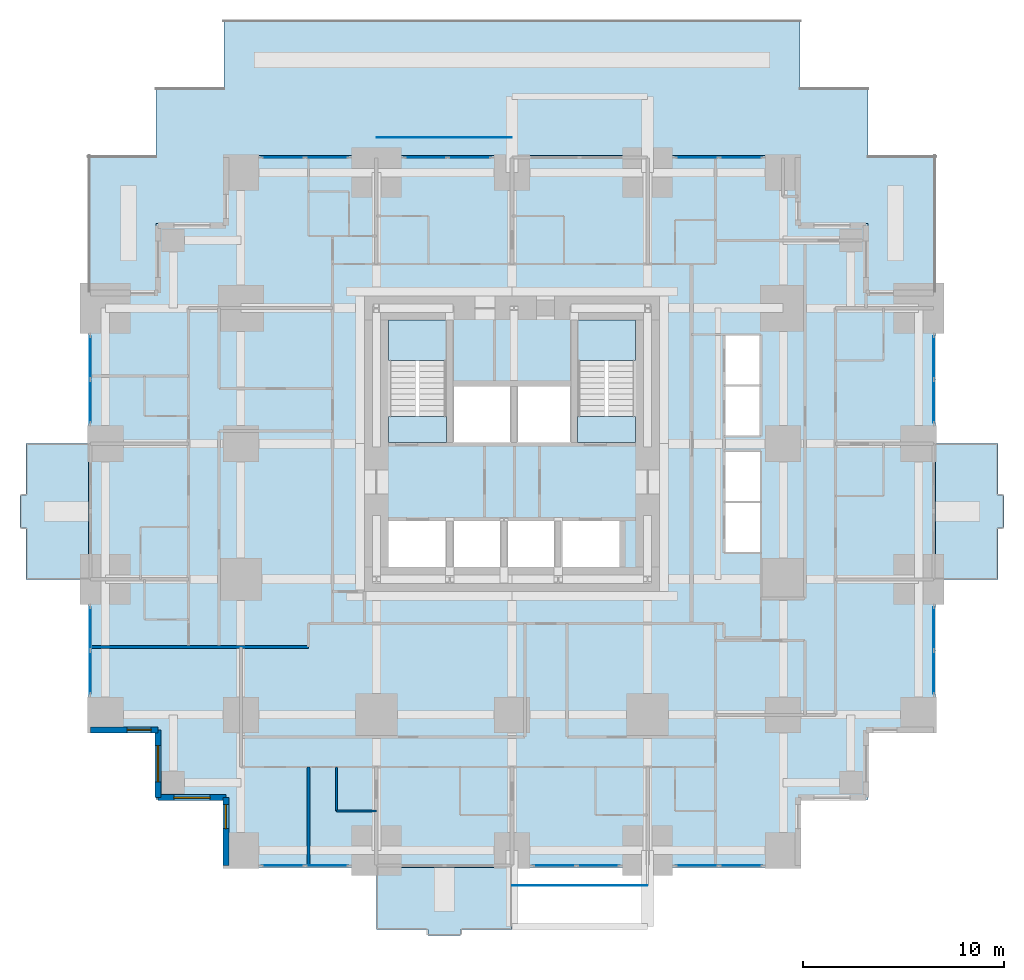
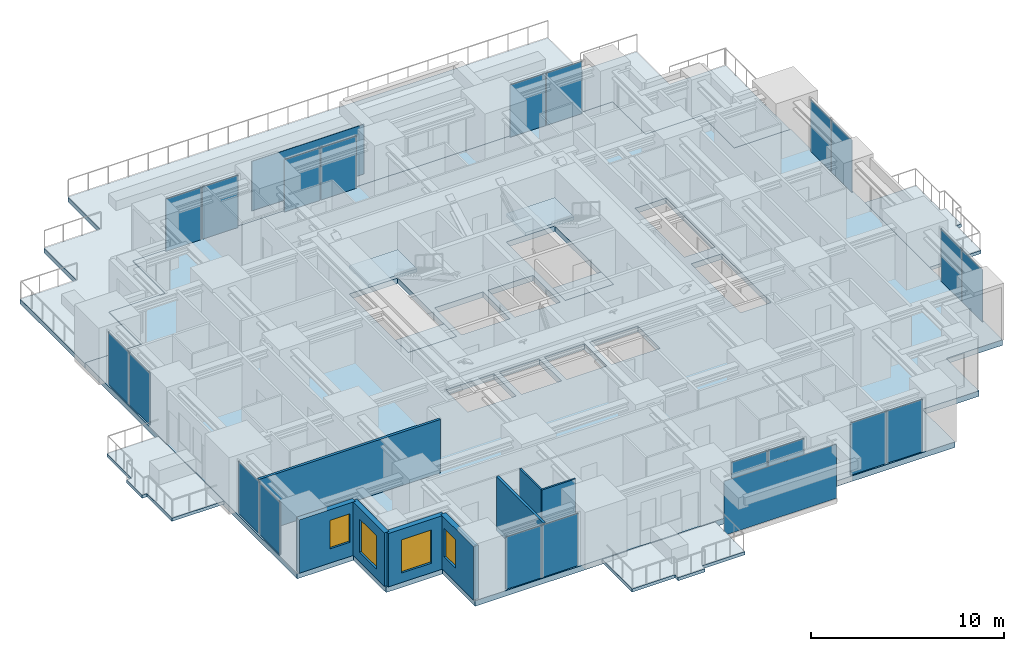
# One storey, part 5 of 12: 22 plates, 9 slabs, 8 walls, 4 windows, 4 openings, 12 elements without a shape of their own.
"""IFC4 building model written with IfcOpenShell, lengths in metres."""

from ifc_helpers import new_model, si_unit, direction, frame, frame_2d, origin, origin_2d, place, context, subcontext, project, spatial, polyline, rectangle, outline, extrude, material, layer, layer_set, type_object, element, fill, aggregate, save


model = new_model("IFC4")

# Units and contexts
model_context = context("Model", 3, precision=1e-05, world=origin(), true_north=direction((0.0, 1.0)))
body_context = subcontext(model_context, "Body", "Model", "MODEL_VIEW")
ifc_project = project(units=[si_unit("LENGTHUNIT", "METRE"), si_unit("AREAUNIT", "SQUARE_METRE"), si_unit("VOLUMEUNIT", "CUBIC_METRE"), si_unit("PLANEANGLEUNIT", "RADIAN"), si_unit("MASSUNIT", "GRAM", prefix="KILO")], contexts=[model_context])

# Site, building, storey
site_placement = place(None, origin())
site = spatial("IfcSite", under=ifc_project, at=site_placement, CompositionType="ELEMENT")
building_placement = place(site_placement, origin())
building = spatial("IfcBuilding", under=site, at=building_placement, Name="Nyansa Garden Tower", CompositionType="ELEMENT")
storey_placement = place(building_placement, frame((0.0, 0.0, 80.10009765625)))
storey = spatial("IfcBuildingStorey", under=building, at=storey_placement, Name="L21", CompositionType="ELEMENT", Elevation=80.10009765625)

# Slabs
ifc_material_1 = material(Name="Concrete C40/50", Category="concrete")
ifc_layer_1 = layer(ifc_material_1, 0.199951171875)
ifc_layer_set_1 = layer_set([ifc_layer_1], Name="Balcony slab BS200")
slab_type_1 = type_object("IfcSlabType", Name="Balcony slab BS200", PredefinedType="FLOOR", material=ifc_layer_set_1)
slab_1_placement = place(storey_placement, frame((0.0, 0.0, -0.239990234375)))
element("IfcSlab", 1, at=slab_1_placement, inside=storey, type_object=slab_type_1, Name="Balcony L21 S", PredefinedType="FLOOR", context=body_context, shape_type="SweptSolid", body=[
    extrude(outline(polyline([(13.5, -0.85009765625), (20.25, -0.85009765625), (20.25, -3.949951171875), (17.675048828125, -3.949951171875), (17.675048828125, -4.25), (16.074951171875, -4.25), (16.074951171875, -3.949951171875), (13.5, -3.949951171875), (13.5, -0.85009765625)])), origin(), (0.0, 0.0, 1.0), 0.199951171875),
])
slab_2_placement = place(storey_placement, frame((0.0, 0.0, -0.239990234375)))
element("IfcSlab", 2, at=slab_2_placement, inside=storey, type_object=slab_type_1, Name="Balcony L21 E", PredefinedType="FLOOR", context=body_context, shape_type="SweptSolid", body=[
    extrude(outline(polyline([(41.35009765625, 13.5), (41.35009765625, 20.25), (44.449951171875, 20.25), (44.449951171875, 17.675048828125), (44.75, 17.675048828125), (44.75, 16.074951171875), (44.449951171875, 16.074951171875), (44.449951171875, 13.5), (41.35009765625, 13.5)])), origin(), (0.0, 0.0, 1.0), 0.199951171875),
])
slab_3_placement = place(storey_placement, frame((0.0, 0.0, -0.239990234375)))
element("IfcSlab", 3, at=slab_3_placement, inside=storey, type_object=slab_type_1, Name="Balcony L21 W", PredefinedType="FLOOR", context=body_context, shape_type="SweptSolid", body=[
    extrude(outline(polyline([(-0.85009765625, 13.5), (-0.85009765625, 20.25), (-3.949951171875, 20.25), (-3.949951171875, 17.675048828125), (-4.25, 17.675048828125), (-4.25, 16.074951171875), (-3.949951171875, 16.074951171875), (-3.949951171875, 13.5), (-0.85009765625, 13.5)])), origin(), (0.0, 0.0, 1.0), 0.199951171875),
])

# Curtain wall, plates
ifc_material_2 = material(Name="Black anodised aluminium, dark tinted double glazing", Category="aluminium")
curtain_wall_type = type_object("IfcCurtainWallType", Name="Inner skin curtain wall ISW-B", PredefinedType="USERDEFINED", material=ifc_material_2)
curtain_wall_1_placement = place(storey_placement, origin())
curtain_wall_1 = element("IfcCurtainWall", 4, at=curtain_wall_1_placement, inside=storey, type_object=curtain_wall_type, Name="Inner skin curtain wall L21 E", ObjectType="UNITISED CURTAIN WALL", PredefinedType="USERDEFINED")
ifc_material_3 = material(Name="Dark tinted laminated double glazing", Category="glass")
ifc_layer_2 = layer(ifc_material_3, 0.035888671875)
ifc_layer_set_2 = layer_set([ifc_layer_2], Name="Dark tinted vision panel VP-B")
plate_type_1 = type_object("IfcPlateType", Name="Dark tinted vision panel VP-B", PredefinedType="CURTAIN_PANEL", material=ifc_layer_set_2)
plate_1_placement = place(storey_placement, frame((41.25, 8.856201171875, -0.000244140625), z_axis=(0.0, 0.0, 1.0), x_axis=(0.0, 1.0, 0.0)))
plate_1 = element("IfcPlate", 5, at=plate_1_placement, type_object=plate_type_1, Name="ISW-B panel 1", PredefinedType="CURTAIN_PANEL", context=body_context, shape_type="SweptSolid", body=[
    extrude(rectangle(XDim=2.12255859375, YDim=0.035888671875, at=origin_2d()), origin(), (0.0, 0.0, 1.0), 3.31005859375),
])
plate_2_placement = place(storey_placement, frame((41.25, 11.043701171875, -0.000244140625), z_axis=(0.0, 0.0, 1.0), x_axis=(0.0, 1.0, 0.0)))
plate_2 = element("IfcPlate", 6, at=plate_2_placement, type_object=plate_type_1, Name="ISW-B panel 2", PredefinedType="CURTAIN_PANEL", context=body_context, shape_type="SweptSolid", body=[
    extrude(rectangle(XDim=2.12255859375, YDim=0.035888671875, at=origin_2d()), origin(), (0.0, 0.0, 1.0), 3.31005859375),
])
aggregate(curtain_wall_1, [plate_1, plate_2])

curtain_wall_2_placement = place(storey_placement, origin())
curtain_wall_2 = element("IfcCurtainWall", 7, at=curtain_wall_2_placement, inside=storey, type_object=curtain_wall_type, Name="Inner skin curtain wall L21 E", ObjectType="UNITISED CURTAIN WALL", PredefinedType="USERDEFINED")
plate_3_placement = place(storey_placement, frame((41.25, 22.356201171875, -0.000244140625), z_axis=(0.0, 0.0, 1.0), x_axis=(0.0, 1.0, 0.0)))
plate_3 = element("IfcPlate", 8, at=plate_3_placement, type_object=plate_type_1, Name="ISW-B panel 1", PredefinedType="CURTAIN_PANEL", context=body_context, shape_type="SweptSolid", body=[
    extrude(rectangle(XDim=2.12255859375, YDim=0.035888671875, at=origin_2d()), origin(), (0.0, 0.0, 1.0), 3.31005859375),
])
plate_4_placement = place(storey_placement, frame((41.25, 24.543701171875, -0.000244140625), z_axis=(0.0, 0.0, 1.0), x_axis=(0.0, 1.0, 0.0)))
plate_4 = element("IfcPlate", 9, at=plate_4_placement, type_object=plate_type_1, Name="ISW-B panel 2", PredefinedType="CURTAIN_PANEL", context=body_context, shape_type="SweptSolid", body=[
    extrude(rectangle(XDim=2.12255859375, YDim=0.035888671875, at=origin_2d()), origin(), (0.0, 0.0, 1.0), 3.31005859375),
])
aggregate(curtain_wall_2, [plate_3, plate_4])

curtain_wall_3_placement = place(storey_placement, origin())
curtain_wall_3 = element("IfcCurtainWall", 10, at=curtain_wall_3_placement, inside=storey, type_object=curtain_wall_type, Name="Inner skin curtain wall L21 N", ObjectType="UNITISED CURTAIN WALL", PredefinedType="USERDEFINED")
plate_5_placement = place(storey_placement, frame((18.143798828125, 34.5, -0.000244140625), z_axis=(0.0, 0.0, 1.0), x_axis=(-1.0, 0.0, 0.0)))
plate_5 = element("IfcPlate", 11, at=plate_5_placement, type_object=plate_type_1, Name="ISW-B panel 1", PredefinedType="CURTAIN_PANEL", context=body_context, shape_type="SweptSolid", body=[
    extrude(rectangle(XDim=2.12255859375, YDim=0.035888671875, at=origin_2d()), origin(), (0.0, 0.0, 1.0), 3.31005859375),
])
plate_6_placement = place(storey_placement, frame((15.956298828125, 34.5, -0.000244140625), z_axis=(0.0, 0.0, 1.0), x_axis=(-1.0, 0.0, 0.0)))
plate_6 = element("IfcPlate", 12, at=plate_6_placement, type_object=plate_type_1, Name="ISW-B panel 2", PredefinedType="CURTAIN_PANEL", context=body_context, shape_type="SweptSolid", body=[
    extrude(rectangle(XDim=2.12255859375, YDim=0.035888671875, at=origin_2d()), origin(), (0.0, 0.0, 1.0), 3.31005859375),
])
aggregate(curtain_wall_3, [plate_5, plate_6])

curtain_wall_4_placement = place(storey_placement, origin())
curtain_wall_4 = element("IfcCurtainWall", 13, at=curtain_wall_4_placement, inside=storey, type_object=curtain_wall_type, Name="Inner skin curtain wall L21 N", ObjectType="UNITISED CURTAIN WALL", PredefinedType="USERDEFINED")
plate_7_placement = place(storey_placement, frame((11.043701171875, 34.5, -0.000244140625), z_axis=(0.0, 0.0, 1.0), x_axis=(-1.0, 0.0, 0.0)))
plate_7 = element("IfcPlate", 14, at=plate_7_placement, type_object=plate_type_1, Name="ISW-B panel 1", PredefinedType="CURTAIN_PANEL", context=body_context, shape_type="SweptSolid", body=[
    extrude(rectangle(XDim=2.12255859375, YDim=0.035888671875, at=origin_2d()), origin(), (0.0, 0.0, 1.0), 3.31005859375),
])
plate_8_placement = place(storey_placement, frame((8.856201171875, 34.5, -0.000244140625), z_axis=(0.0, 0.0, 1.0), x_axis=(-1.0, 0.0, 0.0)))
plate_8 = element("IfcPlate", 15, at=plate_8_placement, type_object=plate_type_1, Name="ISW-B panel 2", PredefinedType="CURTAIN_PANEL", context=body_context, shape_type="SweptSolid", body=[
    extrude(rectangle(XDim=2.12255859375, YDim=0.035888671875, at=origin_2d()), origin(), (0.0, 0.0, 1.0), 3.31005859375),
])
aggregate(curtain_wall_4, [plate_7, plate_8])

curtain_wall_5_placement = place(storey_placement, origin())
curtain_wall_5 = element("IfcCurtainWall", 16, at=curtain_wall_5_placement, inside=storey, type_object=curtain_wall_type, Name="Inner skin curtain wall L21 N", ObjectType="UNITISED CURTAIN WALL", PredefinedType="USERDEFINED")
plate_9_placement = place(storey_placement, frame((31.643798828125, 34.5, -0.000244140625), z_axis=(0.0, 0.0, 1.0), x_axis=(-1.0, 0.0, 0.0)))
plate_9 = element("IfcPlate", 17, at=plate_9_placement, type_object=plate_type_1, Name="ISW-B panel 1", PredefinedType="CURTAIN_PANEL", context=body_context, shape_type="SweptSolid", body=[
    extrude(rectangle(XDim=2.12255859375, YDim=0.035888671875, at=origin_2d()), origin(), (0.0, 0.0, 1.0), 3.31005859375),
])
plate_10_placement = place(storey_placement, frame((29.456298828125, 34.5, -0.000244140625), z_axis=(0.0, 0.0, 1.0), x_axis=(-1.0, 0.0, 0.0)))
plate_10 = element("IfcPlate", 18, at=plate_10_placement, type_object=plate_type_1, Name="ISW-B panel 2", PredefinedType="CURTAIN_PANEL", context=body_context, shape_type="SweptSolid", body=[
    extrude(rectangle(XDim=2.12255859375, YDim=0.035888671875, at=origin_2d()), origin(), (0.0, 0.0, 1.0), 3.31005859375),
])
aggregate(curtain_wall_5, [plate_9, plate_10])

curtain_wall_6_placement = place(storey_placement, origin())
curtain_wall_6 = element("IfcCurtainWall", 19, at=curtain_wall_6_placement, inside=storey, type_object=curtain_wall_type, Name="Inner skin curtain wall L21 W", ObjectType="UNITISED CURTAIN WALL", PredefinedType="USERDEFINED")
plate_11_placement = place(storey_placement, frame((-0.75, 11.043701171875, -0.000244140625), z_axis=(0.0, 0.0, 1.0), x_axis=(0.0, -1.0, 0.0)))
plate_11 = element("IfcPlate", 20, at=plate_11_placement, type_object=plate_type_1, Name="ISW-B panel 1", PredefinedType="CURTAIN_PANEL", context=body_context, shape_type="SweptSolid", body=[
    extrude(rectangle(XDim=2.12255859375, YDim=0.035888671875, at=origin_2d()), origin(), (0.0, 0.0, 1.0), 3.31005859375),
])
plate_12_placement = place(storey_placement, frame((-0.75, 8.856201171875, -0.000244140625), z_axis=(0.0, 0.0, 1.0), x_axis=(0.0, -1.0, 0.0)))
plate_12 = element("IfcPlate", 21, at=plate_12_placement, type_object=plate_type_1, Name="ISW-B panel 2", PredefinedType="CURTAIN_PANEL", context=body_context, shape_type="SweptSolid", body=[
    extrude(rectangle(XDim=2.12255859375, YDim=0.035888671875, at=origin_2d()), origin(), (0.0, 0.0, 1.0), 3.31005859375),
])
aggregate(curtain_wall_6, [plate_11, plate_12])

curtain_wall_7_placement = place(storey_placement, origin())
curtain_wall_7 = element("IfcCurtainWall", 22, at=curtain_wall_7_placement, inside=storey, type_object=curtain_wall_type, Name="Inner skin curtain wall L21 W", ObjectType="UNITISED CURTAIN WALL", PredefinedType="USERDEFINED")
plate_13_placement = place(storey_placement, frame((-0.75, 24.543701171875, -0.000244140625), z_axis=(0.0, 0.0, 1.0), x_axis=(0.0, -1.0, 0.0)))
plate_13 = element("IfcPlate", 23, at=plate_13_placement, type_object=plate_type_1, Name="ISW-B panel 1", PredefinedType="CURTAIN_PANEL", context=body_context, shape_type="SweptSolid", body=[
    extrude(rectangle(XDim=2.12255859375, YDim=0.035888671875, at=origin_2d()), origin(), (0.0, 0.0, 1.0), 3.31005859375),
])
plate_14_placement = place(storey_placement, frame((-0.75, 22.356201171875, -0.000244140625), z_axis=(0.0, 0.0, 1.0), x_axis=(0.0, -1.0, 0.0)))
plate_14 = element("IfcPlate", 24, at=plate_14_placement, type_object=plate_type_1, Name="ISW-B panel 2", PredefinedType="CURTAIN_PANEL", context=body_context, shape_type="SweptSolid", body=[
    extrude(rectangle(XDim=2.12255859375, YDim=0.035888671875, at=origin_2d()), origin(), (0.0, 0.0, 1.0), 3.31005859375),
])
aggregate(curtain_wall_7, [plate_13, plate_14])

curtain_wall_8_placement = place(storey_placement, origin())
curtain_wall_8 = element("IfcCurtainWall", 25, at=curtain_wall_8_placement, inside=storey, type_object=curtain_wall_type, Name="Inner skin curtain wall L21 S", ObjectType="UNITISED CURTAIN WALL", PredefinedType="USERDEFINED")
plate_15_placement = place(storey_placement, frame((8.856201171875, -0.75, -0.000244140625), z_axis=(0.0, 0.0, 1.0), x_axis=(1.0, 0.0, 0.0)))
plate_15 = element("IfcPlate", 26, at=plate_15_placement, type_object=plate_type_1, Name="ISW-B panel 1", PredefinedType="CURTAIN_PANEL", context=body_context, shape_type="SweptSolid", body=[
    extrude(rectangle(XDim=2.12255859375, YDim=0.035888671875, at=origin_2d()), origin(), (0.0, 0.0, 1.0), 3.31005859375),
])
plate_16_placement = place(storey_placement, frame((11.043701171875, -0.75, -0.000244140625), z_axis=(0.0, 0.0, 1.0), x_axis=(1.0, 0.0, 0.0)))
plate_16 = element("IfcPlate", 27, at=plate_16_placement, type_object=plate_type_1, Name="ISW-B panel 2", PredefinedType="CURTAIN_PANEL", context=body_context, shape_type="SweptSolid", body=[
    extrude(rectangle(XDim=2.12255859375, YDim=0.035888671875, at=origin_2d()), origin(), (0.0, 0.0, 1.0), 3.31005859375),
])
aggregate(curtain_wall_8, [plate_15, plate_16])

curtain_wall_9_placement = place(storey_placement, origin())
curtain_wall_9 = element("IfcCurtainWall", 28, at=curtain_wall_9_placement, inside=storey, type_object=curtain_wall_type, Name="Inner skin curtain wall L21 S", ObjectType="UNITISED CURTAIN WALL", PredefinedType="USERDEFINED")
plate_17_placement = place(storey_placement, frame((22.356201171875, -0.75, -0.000244140625), z_axis=(0.0, 0.0, 1.0), x_axis=(1.0, 0.0, 0.0)))
plate_17 = element("IfcPlate", 29, at=plate_17_placement, type_object=plate_type_1, Name="ISW-B panel 1", PredefinedType="CURTAIN_PANEL", context=body_context, shape_type="SweptSolid", body=[
    extrude(rectangle(XDim=2.12255859375, YDim=0.035888671875, at=origin_2d()), origin(), (0.0, 0.0, 1.0), 3.31005859375),
])
plate_18_placement = place(storey_placement, frame((24.543701171875, -0.75, -0.000244140625), z_axis=(0.0, 0.0, 1.0), x_axis=(1.0, 0.0, 0.0)))
plate_18 = element("IfcPlate", 30, at=plate_18_placement, type_object=plate_type_1, Name="ISW-B panel 2", PredefinedType="CURTAIN_PANEL", context=body_context, shape_type="SweptSolid", body=[
    extrude(rectangle(XDim=2.12255859375, YDim=0.035888671875, at=origin_2d()), origin(), (0.0, 0.0, 1.0), 3.31005859375),
])
aggregate(curtain_wall_9, [plate_17, plate_18])

curtain_wall_10_placement = place(storey_placement, origin())
curtain_wall_10 = element("IfcCurtainWall", 31, at=curtain_wall_10_placement, inside=storey, type_object=curtain_wall_type, Name="Inner skin curtain wall L21 S", ObjectType="UNITISED CURTAIN WALL", PredefinedType="USERDEFINED")
plate_19_placement = place(storey_placement, frame((29.456298828125, -0.75, -0.000244140625), z_axis=(0.0, 0.0, 1.0), x_axis=(1.0, 0.0, 0.0)))
plate_19 = element("IfcPlate", 32, at=plate_19_placement, type_object=plate_type_1, Name="ISW-B panel 1", PredefinedType="CURTAIN_PANEL", context=body_context, shape_type="SweptSolid", body=[
    extrude(rectangle(XDim=2.12255859375, YDim=0.035888671875, at=origin_2d()), origin(), (0.0, 0.0, 1.0), 3.31005859375),
])
plate_20_placement = place(storey_placement, frame((31.643798828125, -0.75, -0.000244140625), z_axis=(0.0, 0.0, 1.0), x_axis=(1.0, 0.0, 0.0)))
plate_20 = element("IfcPlate", 33, at=plate_20_placement, type_object=plate_type_1, Name="ISW-B panel 2", PredefinedType="CURTAIN_PANEL", context=body_context, shape_type="SweptSolid", body=[
    extrude(rectangle(XDim=2.12255859375, YDim=0.035888671875, at=origin_2d()), origin(), (0.0, 0.0, 1.0), 3.31005859375),
])
aggregate(curtain_wall_10, [plate_19, plate_20])

# Plates
ifc_material_4 = material(Name="Dark tinted laminated glass", Category="glass")
ifc_layer_3 = layer(ifc_material_4, 0.02392578125)
ifc_layer_set_3 = layer_set([ifc_layer_3], Name="Outer skin glass panel OS1")
plate_type_2 = type_object("IfcPlateType", Name="Outer skin glass panel OS1", PredefinedType="USERDEFINED", material=ifc_layer_set_3)
for number, where, z_axis, x_axis, name in (
    (34, (16.875, 35.5, -0.35009765625), (0.0, 0.0, 1.0), (1.0, 0.0, 0.0), "Outer skin glass panel L21"),
    (35, (23.625, -1.75, -0.35009765625), (0.0, 0.0, 1.0), (1.0, 0.0, 0.0), "Outer skin glass panel L21"),
):
    element("IfcPlate", number, at=place(storey_placement, frame(where, z_axis=z_axis, x_axis=x_axis)), inside=storey, type_object=plate_type_2, Name=name, ObjectType="OUTER SKIN GLASS", PredefinedType="USERDEFINED", context=body_context, shape_type="SweptSolid", body=[
        extrude(rectangle(XDim=6.7099609375, YDim=0.02392578125, at=origin_2d()), origin(), (0.0, 0.0, 1.0), 3.425048828125),
    ])

# Stair, slabs
ifc_material_5 = material(Name="Precast concrete C40/50", Category="concrete")
stair_type_1 = type_object("IfcStairType", Name="Stair S1 164x280", PredefinedType="HALF_TURN_STAIR", material=ifc_material_5)
stair_1_placement = place(storey_placement, origin())
stair_1 = element("IfcStair", 36, at=stair_1_placement, inside=storey, type_object=stair_type_1, Name="Stair S1 L21", PredefinedType="HALF_TURN_STAIR")
ifc_material_6 = material(Name="Concrete C40/50", Category="concrete")
ifc_layer_4 = layer(ifc_material_6, 0.199951171875)
ifc_layer_set_4 = layer_set([ifc_layer_4], Name="Stair landing SL200")
slab_type_2 = type_object("IfcSlabType", Name="Stair landing SL200", PredefinedType="LANDING", material=ifc_layer_set_4)
slab_4_placement = place(storey_placement, frame((0.0, 0.0, -0.2001953125)))
slab_4 = element("IfcSlab", 37, at=slab_4_placement, type_object=slab_type_2, Name="S1 landing 1", PredefinedType="LANDING", context=body_context, shape_type="SweptSolid", body=[
    extrude(outline(polyline([(14.10009765625, 20.300048828125), (17.0, 20.300048828125), (17.0, 21.60009765625), (14.10009765625, 21.60009765625), (14.10009765625, 20.300048828125)])), origin(), (0.0, 0.0, 1.0), 0.2001953125),
])
slab_5_placement = place(storey_placement, frame((0.0, 0.0, 1.599853515625)))
slab_5 = element("IfcSlab", 38, at=slab_5_placement, type_object=slab_type_2, Name="S1 landing 2", PredefinedType="LANDING", context=body_context, shape_type="SweptSolid", body=[
    extrude(outline(polyline([(14.10009765625, 24.39990234375), (17.0, 24.39990234375), (17.0, 26.39990234375), (14.10009765625, 26.39990234375), (14.10009765625, 24.39990234375)])), origin(), (0.0, 0.0, 1.0), 0.199951171875),
])
aggregate(stair_1, [slab_4, slab_5])

ifc_material_7 = material(Name="Precast concrete C40/50", Category="concrete")
stair_type_2 = type_object("IfcStairType", Name="Stair S2 164x280", PredefinedType="HALF_TURN_STAIR", material=ifc_material_7)
stair_2_placement = place(storey_placement, origin())
stair_2 = element("IfcStair", 39, at=stair_2_placement, inside=storey, type_object=stair_type_2, Name="Stair S2 L21", PredefinedType="HALF_TURN_STAIR")
slab_6_placement = place(storey_placement, frame((0.0, 0.0, -0.2001953125)))
slab_6 = element("IfcSlab", 40, at=slab_6_placement, type_object=slab_type_2, Name="S2 landing 1", PredefinedType="LANDING", context=body_context, shape_type="SweptSolid", body=[
    extrude(outline(polyline([(23.5, 20.300048828125), (26.39990234375, 20.300048828125), (26.39990234375, 21.60009765625), (23.5, 21.60009765625), (23.5, 20.300048828125)])), origin(), (0.0, 0.0, 1.0), 0.2001953125),
])
slab_7_placement = place(storey_placement, frame((0.0, 0.0, 1.599853515625)))
slab_7 = element("IfcSlab", 41, at=slab_7_placement, type_object=slab_type_2, Name="S2 landing 2", PredefinedType="LANDING", context=body_context, shape_type="SweptSolid", body=[
    extrude(outline(polyline([(23.5, 24.39990234375), (26.39990234375, 24.39990234375), (26.39990234375, 26.39990234375), (23.5, 26.39990234375), (23.5, 24.39990234375)])), origin(), (0.0, 0.0, 1.0), 0.199951171875),
])
aggregate(stair_2, [slab_6, slab_7])

# Slabs
ifc_material_8 = material(Name="Concrete C40/50, waterproofed to falls", Category="concrete")
ifc_layer_5 = layer(ifc_material_8, 0.2900390625)
ifc_layer_set_5 = layer_set([ifc_layer_5], Name="Terrace slab TS290")
slab_type_3 = type_object("IfcSlabType", Name="Terrace slab TS290", PredefinedType="ROOF", material=ifc_layer_set_5)
slab_8_placement = place(storey_placement, frame((0.0, 0.0, -0.35009765625)))
element("IfcSlab", 42, at=slab_8_placement, inside=storey, type_object=slab_type_3, Name="Terrace L21", PredefinedType="ROOF", context=body_context, shape_type="SweptSolid", body=[
    extrude(outline(polyline([(-0.85009765625, 34.60009765625), (2.52490234375, 34.60009765625), (2.52490234375, 37.97509765625), (5.89990234375, 37.97509765625), (5.89990234375, 41.35009765625), (34.60009765625, 41.35009765625), (34.60009765625, 37.97509765625), (37.97509765625, 37.97509765625), (37.97509765625, 34.60009765625), (41.35009765625, 34.60009765625), (41.35009765625, 27.85009765625), (37.97509765625, 27.85009765625), (37.97509765625, 31.22509765625), (34.60009765625, 31.22509765625), (34.60009765625, 34.60009765625), (5.89990234375, 34.60009765625), (5.89990234375, 31.22509765625), (2.52490234375, 31.22509765625), (2.52490234375, 27.85009765625), (-0.85009765625, 27.85009765625), (-0.85009765625, 34.60009765625)])), origin(), (0.0, 0.0, 1.0), 0.2900390625),
])
ifc_material_9 = material(Name="Concrete C40/50", Category="concrete")
ifc_layer_6 = layer(ifc_material_9, 0.35009765625)
ifc_layer_set_6 = layer_set([ifc_layer_6], Name="Transfer floor slab FS350")
slab_type_4 = type_object("IfcSlabType", Name="Transfer floor slab FS350", PredefinedType="FLOOR", material=ifc_layer_set_6)
slab_9_placement = place(storey_placement, frame((0.0, 0.0, -0.35009765625)))
element("IfcSlab", 43, at=slab_9_placement, inside=storey, type_object=slab_type_4, Name="Floor slab L21", PredefinedType="FLOOR", context=body_context, shape_type="SweptSolid", body=[
    extrude(outline(polyline([(41.35009765625, 5.89990234375), (37.97509765625, 5.89990234375), (37.97509765625, 2.52490234375), (34.60009765625, 2.52490234375), (34.60009765625, -0.85009765625), (5.89990234375, -0.85009765625), (5.89990234375, 2.52490234375), (2.52490234375, 2.52490234375), (2.52490234375, 5.89990234375), (-0.85009765625, 5.89990234375), (-0.85009765625, 27.85009765625), (2.52490234375, 27.85009765625), (2.52490234375, 31.22509765625), (5.89990234375, 31.22509765625), (5.89990234375, 34.60009765625), (34.60009765625, 34.60009765625), (34.60009765625, 31.22509765625), (37.97509765625, 31.22509765625), (37.97509765625, 27.85009765625), (41.35009765625, 27.85009765625), (41.35009765625, 5.89990234375)]), holes=[polyline([(14.10009765625, 14.10009765625), (17.0, 14.10009765625), (17.0, 16.39990234375), (14.10009765625, 16.39990234375), (14.10009765625, 14.10009765625)]), polyline([(17.300048828125, 14.10009765625), (19.699951171875, 14.10009765625), (19.699951171875, 16.39990234375), (17.300048828125, 16.39990234375), (17.300048828125, 14.10009765625)]), polyline([(20.0, 14.10009765625), (22.39990234375, 14.10009765625), (22.39990234375, 16.39990234375), (20.0, 16.39990234375), (20.0, 14.10009765625)]), polyline([(22.699951171875, 14.10009765625), (25.60009765625, 14.10009765625), (25.60009765625, 16.39990234375), (22.699951171875, 16.39990234375), (22.699951171875, 14.10009765625)]), polyline([(17.300048828125, 20.300048828125), (20.199951171875, 20.300048828125), (20.199951171875, 23.10009765625), (17.300048828125, 23.10009765625), (17.300048828125, 20.300048828125)]), polyline([(20.5, 20.300048828125), (23.199951171875, 20.300048828125), (23.199951171875, 23.10009765625), (20.5, 23.10009765625), (20.5, 20.300048828125)]), polyline([(30.800048828125, 14.800048828125), (32.64990234375, 14.800048828125), (32.64990234375, 19.89990234375), (30.800048828125, 19.89990234375), (30.800048828125, 14.800048828125)]), polyline([(30.800048828125, 20.60009765625), (32.64990234375, 20.60009765625), (32.64990234375, 25.699951171875), (30.800048828125, 25.699951171875), (30.800048828125, 20.60009765625)]), polyline([(14.10009765625, 20.300048828125), (17.0, 20.300048828125), (17.0, 26.39990234375), (14.10009765625, 26.39990234375), (14.10009765625, 20.300048828125)]), polyline([(23.5, 20.300048828125), (26.39990234375, 20.300048828125), (26.39990234375, 26.39990234375), (23.5, 26.39990234375), (23.5, 20.300048828125)])]), origin(), (0.0, 0.0, 1.0), 0.35009765625),
])

# Walls
ifc_material_10 = material(Name="Blockwork, plastered both sides", Category="masonry")
ifc_layer_7 = layer(ifc_material_10, 0.14990234375)
ifc_layer_set_7 = layer_set([ifc_layer_7], Name="Partition PW150")
wall_type_1 = type_object("IfcWallType", Name="Partition PW150", PredefinedType="PARTITIONING", material=ifc_layer_set_7)
wall_1_placement = place(storey_placement, frame((-0.73388671875, 10.125, 0.0), z_axis=(0.0, 0.0, 1.0), x_axis=(1.0, 0.0, 0.0)))
element("IfcWall", 44, at=wall_1_placement, inside=storey, type_object=wall_type_1, Name="Partition", PredefinedType="PARTITIONING", context=body_context, shape_type="SweptSolid", body=[
    extrude(rectangle(XDim=10.85888671875, YDim=0.14990234375, at=frame_2d((5.429443359375, 0.0))), origin(), (0.0, 0.0, 1.0), 3.375),
])
wall_2_placement = place(storey_placement, frame((10.125, -0.73388671875, 0.0), z_axis=(0.0, 0.0, 1.0), x_axis=(0.0, 1.0, 0.0)))
element("IfcWall", 45, at=wall_2_placement, inside=storey, type_object=wall_type_1, Name="Partition", PredefinedType="PARTITIONING", context=body_context, shape_type="SweptSolid", body=[
    extrude(rectangle(XDim=4.8837890625, YDim=0.14990234375, at=frame_2d((2.44189453125, 0.0))), origin(), (0.0, 0.0, 1.0), 3.375),
])

# Wall, opening, window
ifc_material_11 = material(Name="Turquoise glazed tile on concrete blockwork", Category="masonry")
ifc_layer_8 = layer(ifc_material_11, 0.300048828125)
ifc_layer_set_8 = layer_set([ifc_layer_8], Name="Tiled corner wall TW300")
wall_type_2 = type_object("IfcWallType", Name="Tiled corner wall TW300", PredefinedType="SOLIDWALL", material=ifc_layer_set_8)
wall_3_placement = place(storey_placement, frame((-0.75, 6.0, 0.0), z_axis=(0.0, 0.0, 1.0), x_axis=(1.0, 0.0, 0.0)))
wall_3 = element("IfcWall", 46, at=wall_3_placement, inside=storey, type_object=wall_type_2, Name="Tiled corner wall L21", PredefinedType="SOLIDWALL", context=body_context, shape_type="SweptSolid", body=[
    extrude(rectangle(XDim=3.375, YDim=0.300048828125, at=frame_2d((1.6875, 0.0))), origin(), (0.0, 0.0, 1.0), 3.375),
])
opening_1_placement = place(wall_3_placement, frame((1.83251953125, 0.0, 0.89990234375)))
opening_1 = element("IfcOpeningElement", 47, at=opening_1_placement, cuts=wall_3, Name="Opening W4", PredefinedType="OPENING", context=body_context, shape_type="SweptSolid", body=[
    extrude(rectangle(XDim=1.199951171875, YDim=1.800048828125, at=frame_2d((0.60009765625, 0.89990234375))), frame((0.0, 0.159912109375, 0.0), z_axis=(0.0, -1.0, 0.0), x_axis=(1.0, 0.0, 0.0)), (0.0, 0.0, 1.0), 0.320068359375),
])
ifc_material_12 = material(Name="Black aluminium frame, dark tinted double glazing", Category="aluminium")
window_type_1 = type_object("IfcWindowType", Name="Window W4 1200x1800", PartitioningType="SINGLE_PANEL", PredefinedType="WINDOW", material=ifc_material_12)
window_1_placement = place(opening_1_placement, origin())
window_1 = element("IfcWindow", 48, at=window_1_placement, inside=storey, type_object=window_type_1, Name="Corner window L21", OverallHeight=1.800048828125, OverallWidth=1.199951171875, PartitioningType="SINGLE_PANEL", PredefinedType="WINDOW", context=body_context, shape_type="SweptSolid", body=[
    extrude(rectangle(XDim=1.199951171875, YDim=1.800048828125, at=frame_2d((0.60009765625, 0.89990234375))), frame((0.0, 0.030029296875, 0.0), z_axis=(0.0, -1.0, 0.0), x_axis=(1.0, 0.0, 0.0)), (0.0, 0.0, 1.0), 0.06005859375),
])
fill(opening_1, window_1)

wall_4_placement = place(storey_placement, frame((2.625, 6.0, 0.0), z_axis=(0.0, 0.0, 1.0), x_axis=(0.0, -1.0, 0.0)))
wall_4 = element("IfcWall", 49, at=wall_4_placement, inside=storey, type_object=wall_type_2, Name="Tiled corner wall L21", PredefinedType="SOLIDWALL", context=body_context, shape_type="SweptSolid", body=[
    extrude(rectangle(XDim=3.375, YDim=0.300048828125, at=frame_2d((1.6875, 0.0))), origin(), (0.0, 0.0, 1.0), 3.375),
])
opening_2_placement = place(wall_4_placement, frame((0.78759765625, 0.0, 0.60009765625)))
opening_2 = element("IfcOpeningElement", 50, at=opening_2_placement, cuts=wall_4, Name="Opening W2", PredefinedType="OPENING", context=body_context, shape_type="SweptSolid", body=[
    extrude(rectangle(XDim=1.800048828125, YDim=2.10009765625, at=frame_2d((0.89990234375, 1.050048828125))), frame((0.0, 0.159912109375, 0.0), z_axis=(0.0, -1.0, 0.0), x_axis=(1.0, 0.0, 0.0)), (0.0, 0.0, 1.0), 0.320068359375),
])
ifc_material_13 = material(Name="Black aluminium frame, dark tinted double glazing", Category="aluminium")
window_type_2 = type_object("IfcWindowType", Name="Window W2 1800x2100", PartitioningType="SINGLE_PANEL", PredefinedType="WINDOW", material=ifc_material_13)
window_2_placement = place(opening_2_placement, origin())
window_2 = element("IfcWindow", 51, at=window_2_placement, inside=storey, type_object=window_type_2, Name="Corner window L21", OverallHeight=2.10009765625, OverallWidth=1.800048828125, PartitioningType="SINGLE_PANEL", PredefinedType="WINDOW", context=body_context, shape_type="SweptSolid", body=[
    extrude(rectangle(XDim=1.800048828125, YDim=2.10009765625, at=frame_2d((0.89990234375, 1.050048828125))), frame((0.0, 0.030029296875, 0.0), z_axis=(0.0, -1.0, 0.0), x_axis=(1.0, 0.0, 0.0)), (0.0, 0.0, 1.0), 0.06005859375),
])
fill(opening_2, window_2)

wall_5_placement = place(storey_placement, frame((2.625, 2.625, 0.0), z_axis=(0.0, 0.0, 1.0), x_axis=(1.0, 0.0, 0.0)))
wall_5 = element("IfcWall", 52, at=wall_5_placement, inside=storey, type_object=wall_type_2, Name="Tiled corner wall L21", PredefinedType="SOLIDWALL", context=body_context, shape_type="SweptSolid", body=[
    extrude(rectangle(XDim=3.375, YDim=0.300048828125, at=frame_2d((1.6875, 0.0))), origin(), (0.0, 0.0, 1.0), 3.375),
])
opening_3_placement = place(wall_5_placement, frame((0.78759765625, 0.0, 0.60009765625)))
opening_3 = element("IfcOpeningElement", 53, at=opening_3_placement, cuts=wall_5, Name="Opening W2", PredefinedType="OPENING", context=body_context, shape_type="SweptSolid", body=[
    extrude(rectangle(XDim=1.800048828125, YDim=2.10009765625, at=frame_2d((0.89990234375, 1.050048828125))), frame((0.0, 0.159912109375, 0.0), z_axis=(0.0, -1.0, 0.0), x_axis=(1.0, 0.0, 0.0)), (0.0, 0.0, 1.0), 0.320068359375),
])
window_3_placement = place(opening_3_placement, origin())
window_3 = element("IfcWindow", 54, at=window_3_placement, inside=storey, type_object=window_type_2, Name="Corner window L21", OverallHeight=2.10009765625, OverallWidth=1.800048828125, PartitioningType="SINGLE_PANEL", PredefinedType="WINDOW", context=body_context, shape_type="SweptSolid", body=[
    extrude(rectangle(XDim=1.800048828125, YDim=2.10009765625, at=frame_2d((0.89990234375, 1.050048828125))), frame((0.0, 0.030029296875, 0.0), z_axis=(0.0, -1.0, 0.0), x_axis=(1.0, 0.0, 0.0)), (0.0, 0.0, 1.0), 0.06005859375),
])
fill(opening_3, window_3)

wall_6_placement = place(storey_placement, frame((6.0, 2.625, 0.0), z_axis=(0.0, 0.0, 1.0), x_axis=(0.0, -1.0, 0.0)))
wall_6 = element("IfcWall", 55, at=wall_6_placement, inside=storey, type_object=wall_type_2, Name="Tiled corner wall L21", PredefinedType="SOLIDWALL", context=body_context, shape_type="SweptSolid", body=[
    extrude(rectangle(XDim=3.375, YDim=0.300048828125, at=frame_2d((1.6875, 0.0))), origin(), (0.0, 0.0, 1.0), 3.375),
])
opening_4_placement = place(wall_6_placement, frame((0.342529296875, 0.0, 0.89990234375)))
opening_4 = element("IfcOpeningElement", 56, at=opening_4_placement, cuts=wall_6, Name="Opening W4", PredefinedType="OPENING", context=body_context, shape_type="SweptSolid", body=[
    extrude(rectangle(XDim=1.199951171875, YDim=1.800048828125, at=frame_2d((0.60009765625, 0.89990234375))), frame((0.0, 0.159912109375, 0.0), z_axis=(0.0, -1.0, 0.0), x_axis=(1.0, 0.0, 0.0)), (0.0, 0.0, 1.0), 0.320068359375),
])
window_4_placement = place(opening_4_placement, origin())
window_4 = element("IfcWindow", 57, at=window_4_placement, inside=storey, type_object=window_type_1, Name="Corner window L21", OverallHeight=1.800048828125, OverallWidth=1.199951171875, PartitioningType="SINGLE_PANEL", PredefinedType="WINDOW", context=body_context, shape_type="SweptSolid", body=[
    extrude(rectangle(XDim=1.199951171875, YDim=1.800048828125, at=frame_2d((0.60009765625, 0.89990234375))), frame((0.0, 0.030029296875, 0.0), z_axis=(0.0, -1.0, 0.0), x_axis=(1.0, 0.0, 0.0)), (0.0, 0.0, 1.0), 0.06005859375),
])
fill(opening_4, window_4)

# Walls
ifc_material_14 = material(Name="Moisture resistant board on steel studs, tiled", Category="steel")
ifc_layer_9 = layer(ifc_material_14, 0.10009765625)
ifc_layer_set_9 = layer_set([ifc_layer_9], Name="Wet wall PW100")
wall_type_3 = type_object("IfcWallType", Name="Wet wall PW100", PredefinedType="PARTITIONING", material=ifc_layer_set_9)
wall_7_placement = place(storey_placement, frame((11.5, 1.949951171875, 0.0), z_axis=(0.0, 0.0, 1.0), x_axis=(0.0, 1.0, 0.0)))
element("IfcWall", 58, at=wall_7_placement, inside=storey, type_object=wall_type_3, Name="Wet wall", PredefinedType="PARTITIONING", context=body_context, shape_type="SweptSolid", body=[
    extrude(rectangle(XDim=2.199951171875, YDim=0.10009765625, at=frame_2d((1.10009765625, 0.0))), origin(), (0.0, 0.0, 1.0), 3.375),
])
wall_8_placement = place(storey_placement, frame((11.5, 1.949951171875, 0.0), z_axis=(0.0, 0.0, 1.0), x_axis=(1.0, 0.0, 0.0)))
element("IfcWall", 59, at=wall_8_placement, inside=storey, type_object=wall_type_3, Name="Wet wall", PredefinedType="PARTITIONING", context=body_context, shape_type="SweptSolid", body=[
    extrude(rectangle(XDim=2.0, YDim=0.10009765625, at=frame_2d((1.0, 0.0))), origin(), (0.0, 0.0, 1.0), 3.375),
])

save(model, "model.ifc")
